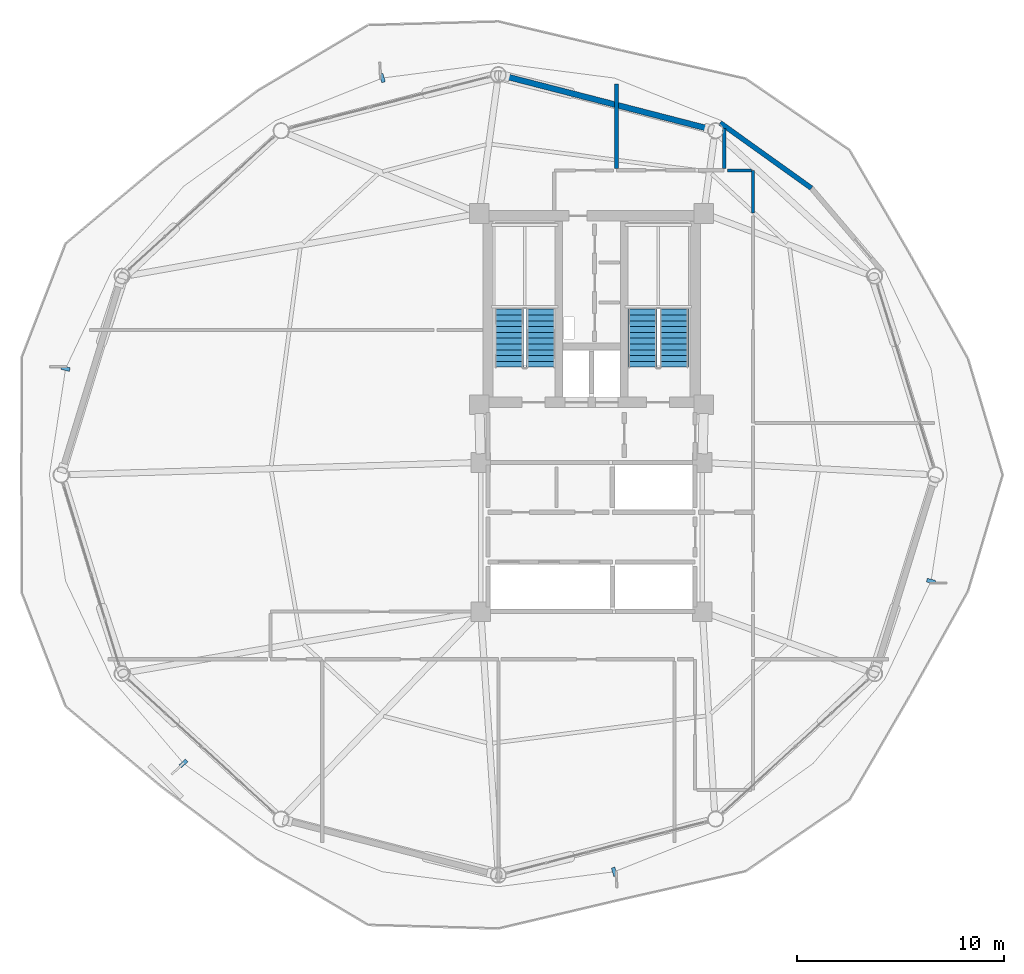
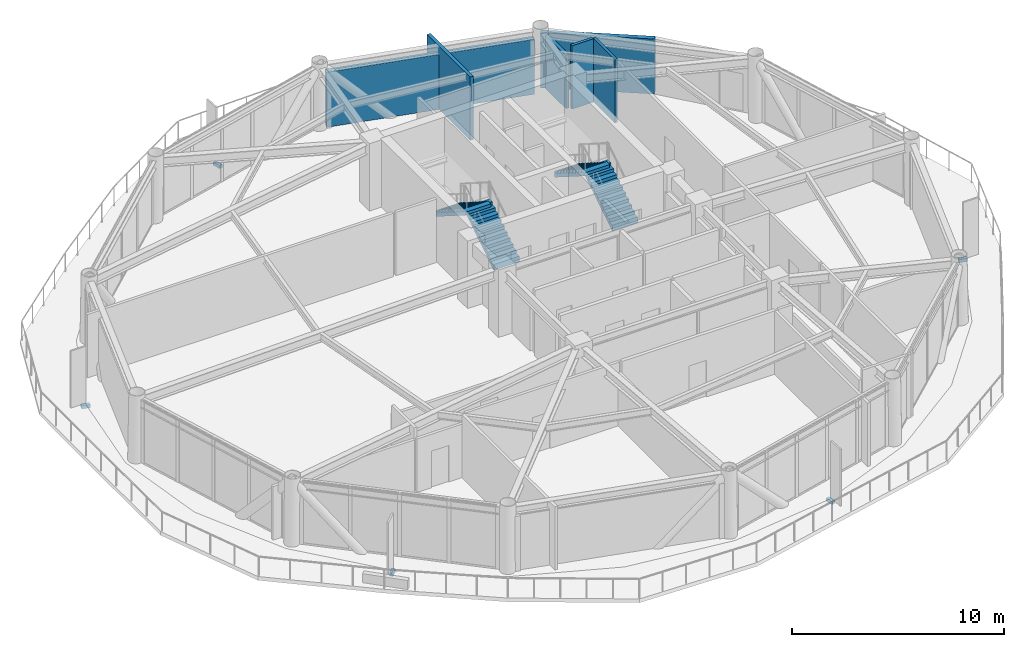
# One storey, part 20 of 23: 6 walls, 5 discrete accessories, 4 stair flights, 2 elements without a shape of their own.
"""IFC4 building model written with IfcOpenShell, lengths in metres."""

from ifc_helpers import new_model, si_unit, direction, frame, frame_2d, origin, origin_2d, place, context, subcontext, project, spatial, polyline, rectangle, outline, extrude, source, transform, mapped, material, layer, layer_set, type_object, type_shapes, element, aggregate, save


model = new_model("IFC4")

# Units and contexts
model_context = context("Model", 3, precision=1e-05, world=origin(), true_north=direction((0.0, 1.0)))
body_context = subcontext(model_context, "Body", "Model", "MODEL_VIEW")
ifc_project = project(units=[si_unit("LENGTHUNIT", "METRE"), si_unit("AREAUNIT", "SQUARE_METRE"), si_unit("VOLUMEUNIT", "CUBIC_METRE"), si_unit("PLANEANGLEUNIT", "RADIAN"), si_unit("MASSUNIT", "GRAM", prefix="KILO")], contexts=[model_context])

# Site, building, storey
site_placement = place(None, origin())
site = spatial("IfcSite", under=ifc_project, at=site_placement, CompositionType="ELEMENT")
building_placement = place(site_placement, origin())
building = spatial("IfcBuilding", under=site, at=building_placement, Name="Varnakorn Sky Granary", CompositionType="ELEMENT")
storey_placement = place(building_placement, frame((0.0, 0.0, 130.5)))
storey = spatial("IfcBuildingStorey", under=building, at=storey_placement, Name="L32", CompositionType="ELEMENT", Elevation=130.5)

# Walls
ifc_material_1 = material(Name="Precast concrete C40/50", Category="concrete")
ifc_layer_1 = layer(ifc_material_1, 0.239990234375, Name="Precast concrete C40/50")
ifc_layer_set_1 = layer_set([ifc_layer_1], Name="Precast concrete C40/50")
wall_type_1 = type_object("IfcWallType", Name="WT-EW-BAL-260", PredefinedType="SOLIDWALL", material=ifc_layer_set_1)
wall_1_placement = place(storey_placement, frame((9.2060546875, 16.9921875, 0.0), z_axis=(0.0, 0.0, 1.0), x_axis=(0.813294449534, -0.581852333808, 0.0)))
element("IfcWall", 1, at=wall_1_placement, inside=storey, type_object=wall_type_1, Name="Balcony Return Facade Wall L32-B02B", PredefinedType="SOLIDWALL", context=body_context, shape_type="SweptSolid", body=[
    extrude(rectangle(XDim=5.41357421875, YDim=0.239990234375, at=frame_2d((2.706787109375, 0.0))), origin(), (0.0, 0.0, 1.0), 3.159912109375),
])
ifc_layer_2 = layer(ifc_material_1, 0.280029296875, Name="Precast concrete C40/50")
ifc_layer_set_2 = layer_set([ifc_layer_2], Name="Precast concrete C40/50")
wall_type_2 = type_object("IfcWallType", Name="WT-EW-CRN-280", PredefinedType="SOLIDWALL", material=ifc_layer_set_2)
wall_2_placement = place(storey_placement, frame((-1.174560546875, 19.2421875, 0.0), z_axis=(0.0, 0.0, 1.0), x_axis=(0.968302257356, -0.249781381211, 0.0)))
element("IfcWall", 2, at=wall_2_placement, inside=storey, type_object=wall_type_2, Name="Agritech Insulated Precast Facade Wall L32-P03", PredefinedType="SOLIDWALL", context=body_context, shape_type="SweptSolid", body=[
    extrude(rectangle(XDim=10.162109375, YDim=0.280029296875, at=frame_2d((5.0810546875, 0.0))), origin(), (0.0, 0.0, 1.0), 3.159912109375),
])
ifc_material_2 = material(Name="Gypsum Plasterboard on Steel Stud", Category="steel")
ifc_layer_3 = layer(ifc_material_2, 0.14990234375, Name="Gypsum Plasterboard on Steel Stud")
ifc_layer_set_3 = layer_set([ifc_layer_3], Name="Gypsum Plasterboard on Steel Stud")
wall_type_3 = type_object("IfcWallType", Name="WT-PART-150", PredefinedType="PARTITIONING", material=ifc_layer_set_3)
wall_3_placement = place(storey_placement, frame((10.800048828125, 12.635009765625, 0.0), z_axis=(0.0, 0.0, 1.0), x_axis=(0.0, 1.0, 0.0)))
element("IfcWall", 3, at=wall_3_placement, inside=storey, type_object=wall_type_3, Name="Interior Partition Wall L32-052", PredefinedType="PARTITIONING", context=body_context, shape_type="SweptSolid", body=[
    extrude(rectangle(XDim=2.06494140625, YDim=0.14990234375, at=frame_2d((1.032470703125, 0.0))), origin(), (0.0, 0.0, 1.0), 3.639892578125),
])
wall_4_placement = place(storey_placement, frame((10.715087890625, 14.699951171875, 0.0), z_axis=(0.0, 0.0, 1.0), x_axis=(-1.0, 0.0, 0.0)))
element("IfcWall", 4, at=wall_4_placement, inside=storey, type_object=wall_type_3, Name="Interior Partition Wall L32-053", PredefinedType="PARTITIONING", context=body_context, shape_type="SweptSolid", body=[
    extrude(rectangle(XDim=1.1650390625, YDim=0.14990234375, at=frame_2d((0.58251953125, 0.0))), origin(), (0.0, 0.0, 1.0), 3.639892578125),
])
ifc_material_3 = material(Name="Moisture-Resistant Gypsum on Stud", Category="gypsum")
ifc_layer_4 = layer(ifc_material_3, 0.179931640625, Name="Moisture-Resistant Gypsum on Stud")
ifc_layer_set_4 = layer_set([ifc_layer_4], Name="Moisture-Resistant Gypsum on Stud")
wall_type_4 = type_object("IfcWallType", Name="WT-PLUMB-180", PredefinedType="PLUMBINGWALL", material=ifc_layer_set_4)
wall_5_placement = place(storey_placement, frame((4.199951171875, 18.85693359375, 0.0), z_axis=(0.0, 0.0, 1.0), x_axis=(0.0, -1.0, 0.0)))
element("IfcWall", 5, at=wall_5_placement, inside=storey, type_object=wall_type_4, Name="Interior Partition Wall L32-048", PredefinedType="PLUMBINGWALL", context=body_context, shape_type="SweptSolid", body=[
    extrude(rectangle(XDim=4.056884765625, YDim=0.179931640625, at=frame_2d((2.0283203125, 0.0))), origin(), (0.0, 0.0, 1.0), 3.639892578125),
])
wall_6_placement = place(storey_placement, frame((9.39990234375, 14.800048828125, 0.0), z_axis=(0.0, 0.0, 1.0), x_axis=(0.0, 1.0, 0.0)))
element("IfcWall", 6, at=wall_6_placement, inside=storey, type_object=wall_type_4, Name="Interior Partition Wall L32-054", PredefinedType="PLUMBINGWALL", context=body_context, shape_type="SweptSolid", body=[
    extrude(rectangle(XDim=1.906982421875, YDim=0.179931640625, at=frame_2d((0.95361328125, 0.0))), origin(), (0.0, 0.0, 1.0), 3.072021484375),
])

# Stair, stair flights
ifc_material_4 = material(Name="Concrete C40/50", Category="concrete")
stair_type = type_object("IfcStairType", Name="ST-MAIN-ASSEMBLY", PredefinedType="HALF_TURN_STAIR", material=ifc_material_4)
stair_1_placement = place(storey_placement, origin())
stair_1 = element("IfcStair", 7, at=stair_1_placement, inside=storey, type_object=stair_type, Name="L32 Protected Exit Stair ST-1", PredefinedType="HALF_TURN_STAIR")
stair_flight_type = type_object("IfcStairFlightType", Name="ST-MAIN-FLIGHT", PredefinedType="STRAIGHT", material=ifc_material_4)
stair_flight_1_placement = place(storey_placement, frame((0.550048828125, 5.199951171875, 0.0), z_axis=(0.0, 0.0, 1.0), x_axis=(0.0, 1.0, 0.0)))
stair_flight_1 = element("IfcStairFlight", 8, at=stair_flight_1_placement, type_object=stair_flight_type, Name="ST-1 flight 1", NumberOfRisers=11, NumberOfTreads=10, PredefinedType="STRAIGHT", RiserHeight=0.177272727, TreadLength=0.28, context=body_context, shape_type="SweptSolid", body=[
    extrude(outline(polyline([(0.0, -0.14990234375), (0.0, 0.0), (0.0, 0.17724609375), (0.280029296875, 0.17724609375), (0.280029296875, 0.3544921875), (0.56005859375, 0.3544921875), (0.56005859375, 0.53173828125), (0.840087890625, 0.53173828125), (0.840087890625, 0.708984375), (1.1201171875, 0.708984375), (1.1201171875, 0.886474609375), (1.39990234375, 0.886474609375), (1.39990234375, 1.063720703125), (1.679931640625, 1.063720703125), (1.679931640625, 1.240966796875), (1.9599609375, 1.240966796875), (1.9599609375, 1.418212890625), (2.239990234375, 1.418212890625), (2.239990234375, 1.595458984375), (2.52001953125, 1.595458984375), (2.52001953125, 1.772705078125), (2.800048828125, 1.772705078125), (2.800048828125, 1.949951171875), (2.800048828125, 1.59521484375), (0.050048828125, -0.14990234375), (0.0, -0.14990234375)])), frame((0.0, 0.68994140625, 0.0), z_axis=(0.0, -1.0, 0.0), x_axis=(1.0, 0.0, 0.0)), (0.0, 0.0, 1.0), 1.3798828125),
])
stair_flight_2_placement = place(storey_placement, frame((-0.97998046875, 8.0, 1.949951171875), z_axis=(0.0, 0.0, 1.0), x_axis=(0.0, -1.0, 0.0)))
stair_flight_2 = element("IfcStairFlight", 9, at=stair_flight_2_placement, type_object=stair_flight_type, Name="ST-1 flight 2", NumberOfRisers=11, NumberOfTreads=10, PredefinedType="STRAIGHT", RiserHeight=0.177272727, TreadLength=0.28, context=body_context, shape_type="SweptSolid", body=[
    extrude(outline(polyline([(0.0, -0.14990234375), (0.0, 0.0), (0.0, 0.17724609375), (0.280029296875, 0.17724609375), (0.280029296875, 0.3544921875), (0.56005859375, 0.3544921875), (0.56005859375, 0.53173828125), (0.840087890625, 0.53173828125), (0.840087890625, 0.708984375), (1.1201171875, 0.708984375), (1.1201171875, 0.886474609375), (1.39990234375, 0.886474609375), (1.39990234375, 1.063720703125), (1.679931640625, 1.063720703125), (1.679931640625, 1.240966796875), (1.9599609375, 1.240966796875), (1.9599609375, 1.418212890625), (2.239990234375, 1.418212890625), (2.239990234375, 1.595458984375), (2.52001953125, 1.595458984375), (2.52001953125, 1.772705078125), (2.800048828125, 1.772705078125), (2.800048828125, 1.949951171875), (2.800048828125, 1.59521484375), (0.050048828125, -0.14990234375), (0.0, -0.14990234375)])), frame((0.0, 0.68994140625, 0.0), z_axis=(0.0, -1.0, 0.0), x_axis=(1.0, 0.0, 0.0)), (0.0, 0.0, 1.0), 1.3798828125),
])
aggregate(stair_1, [stair_flight_1, stair_flight_2])

stair_2_placement = place(storey_placement, origin())
stair_2 = element("IfcStair", 10, at=stair_2_placement, inside=storey, type_object=stair_type, Name="L32 Protected Exit Stair ST-2", PredefinedType="HALF_TURN_STAIR")
stair_flight_3_placement = place(storey_placement, frame((6.989990234375, 5.199951171875, 0.0), z_axis=(0.0, 0.0, 1.0), x_axis=(0.0, 1.0, 0.0)))
stair_flight_3 = element("IfcStairFlight", 11, at=stair_flight_3_placement, type_object=stair_flight_type, Name="ST-2 flight 1", NumberOfRisers=11, NumberOfTreads=10, PredefinedType="STRAIGHT", RiserHeight=0.177272727, TreadLength=0.28, context=body_context, shape_type="SweptSolid", body=[
    extrude(outline(polyline([(0.0, -0.14990234375), (0.0, 0.0), (0.0, 0.17724609375), (0.280029296875, 0.17724609375), (0.280029296875, 0.3544921875), (0.56005859375, 0.3544921875), (0.56005859375, 0.53173828125), (0.840087890625, 0.53173828125), (0.840087890625, 0.708984375), (1.1201171875, 0.708984375), (1.1201171875, 0.886474609375), (1.39990234375, 0.886474609375), (1.39990234375, 1.063720703125), (1.679931640625, 1.063720703125), (1.679931640625, 1.240966796875), (1.9599609375, 1.240966796875), (1.9599609375, 1.418212890625), (2.239990234375, 1.418212890625), (2.239990234375, 1.595458984375), (2.52001953125, 1.595458984375), (2.52001953125, 1.772705078125), (2.800048828125, 1.772705078125), (2.800048828125, 1.949951171875), (2.800048828125, 1.59521484375), (0.050048828125, -0.14990234375), (0.0, -0.14990234375)])), frame((0.0, 0.68994140625, 0.0), z_axis=(0.0, -1.0, 0.0), x_axis=(1.0, 0.0, 0.0)), (0.0, 0.0, 1.0), 1.3798828125),
])
stair_flight_4_placement = place(storey_placement, frame((5.4599609375, 8.0, 1.949951171875), z_axis=(0.0, 0.0, 1.0), x_axis=(0.0, -1.0, 0.0)))
stair_flight_4 = element("IfcStairFlight", 12, at=stair_flight_4_placement, type_object=stair_flight_type, Name="ST-2 flight 2", NumberOfRisers=11, NumberOfTreads=10, PredefinedType="STRAIGHT", RiserHeight=0.177272727, TreadLength=0.28, context=body_context, shape_type="SweptSolid", body=[
    extrude(outline(polyline([(0.0, -0.14990234375), (0.0, 0.0), (0.0, 0.17724609375), (0.280029296875, 0.17724609375), (0.280029296875, 0.3544921875), (0.56005859375, 0.3544921875), (0.56005859375, 0.53173828125), (0.840087890625, 0.53173828125), (0.840087890625, 0.708984375), (1.1201171875, 0.708984375), (1.1201171875, 0.886474609375), (1.39990234375, 0.886474609375), (1.39990234375, 1.063720703125), (1.679931640625, 1.063720703125), (1.679931640625, 1.240966796875), (1.9599609375, 1.240966796875), (1.9599609375, 1.418212890625), (2.239990234375, 1.418212890625), (2.239990234375, 1.595458984375), (2.52001953125, 1.595458984375), (2.52001953125, 1.772705078125), (2.800048828125, 1.772705078125), (2.800048828125, 1.949951171875), (2.800048828125, 1.59521484375), (0.050048828125, -0.14990234375), (0.0, -0.14990234375)])), frame((0.0, 0.68994140625, 0.0), z_axis=(0.0, -1.0, 0.0), x_axis=(1.0, 0.0, 0.0)), (0.0, 0.0, 1.0), 1.3798828125),
])
aggregate(stair_2, [stair_flight_3, stair_flight_4])

# Discrete accessories
ifc_material_5 = material(Name="Steel S355JR", Category="steel")
discrete_accessory_type = type_object("IfcDiscreteAccessoryType", Name="AC-BRK-01", PredefinedType="BRACKET", material=ifc_material_5)
shared_shape = source(origin(), body_context, "Body", "SweptSolid", [
    extrude(rectangle(XDim=0.179931640625, YDim=0.419921875, at=origin_2d()), origin(), (0.0, 0.0, 1.0), 0.179931640625),
])
type_shapes(discrete_accessory_type, [shared_shape])
for number, where, z_axis, x_axis, name in (
    (13, (-7.098876953125, 19.154541015625, -0.2001953125), (0.0, 0.0, 1.0), (-0.959838017178, -0.280554773226, 0.0), "Facade Solar-Screen Outrigger Bracket L32-04"),
    (14, (-22.3857421875, 5.130126953125, -0.2001953125), (0.0, 0.0, 1.0), (-0.238540981823, -0.971132431747, 0.0), "Facade Solar-Screen Outrigger Bracket L32-06"),
    (15, (-16.697265625, -13.92333984375, -0.2001953125), (0.0, 0.0, 1.0), (0.675527482401, -0.737334808971, 0.0), "Facade Solar-Screen Outrigger Bracket L32-08"),
    (16, (4.098876953125, -19.154541015625, -0.2001953125), (0.0, 0.0, 1.0), (0.959838017178, 0.280554773226, 0.0), "Facade Solar-Screen Outrigger Bracket L32-10"),
    (17, (19.3857421875, -5.130126953125, -0.2001953125), (0.0, 0.0, 1.0), (0.238540981823, 0.971132431747, 0.0), "Facade Solar-Screen Outrigger Bracket L32-12"),
):
    element("IfcDiscreteAccessory", number, at=place(storey_placement, frame(where, z_axis=z_axis, x_axis=x_axis)), inside=storey, type_object=discrete_accessory_type, Name=name, PredefinedType="BRACKET", context=body_context, shape_type="MappedRepresentation", body=[
        mapped(shared_shape, transform((0.0, 0.0, 0.0), x_axis=(1.0, 0.0, 0.0), y_axis=(0.0, 1.0, 0.0), z_axis=(0.0, 0.0, 1.0), scale=1.0)),
    ])

save(model, "model.ifc")
